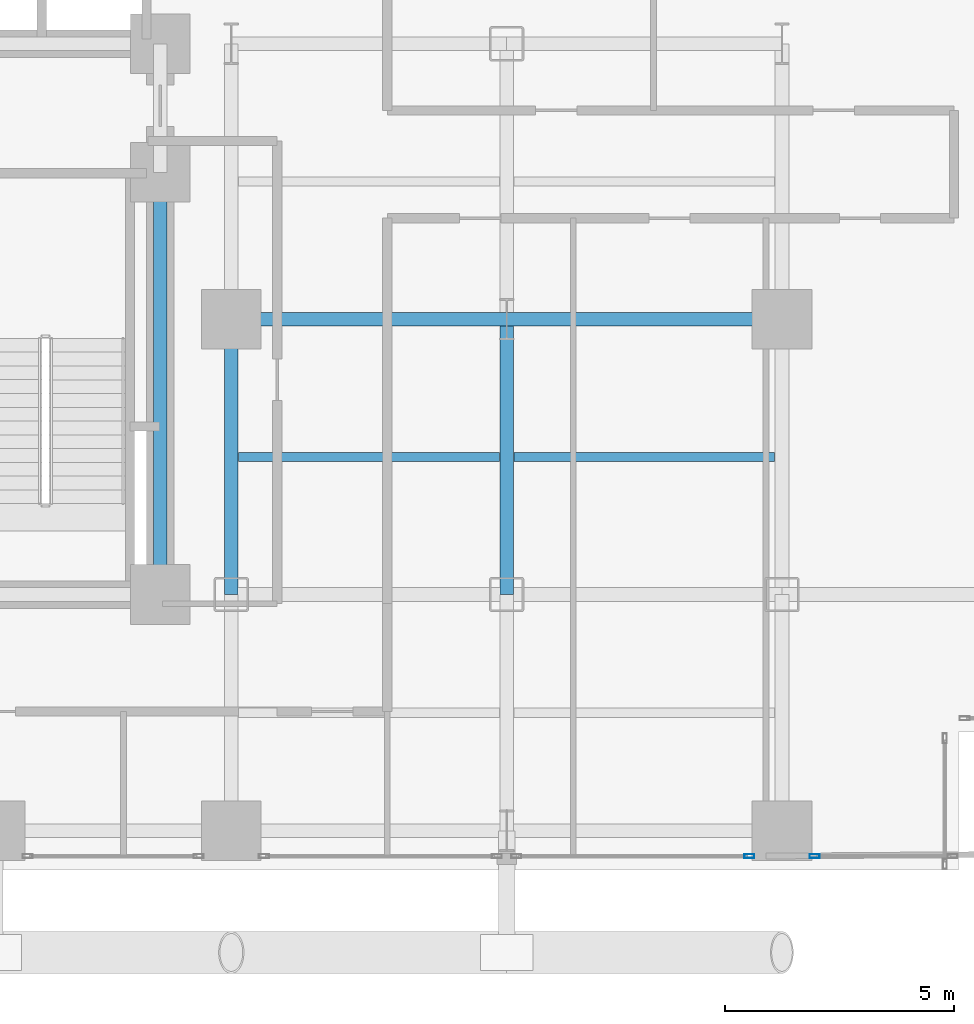
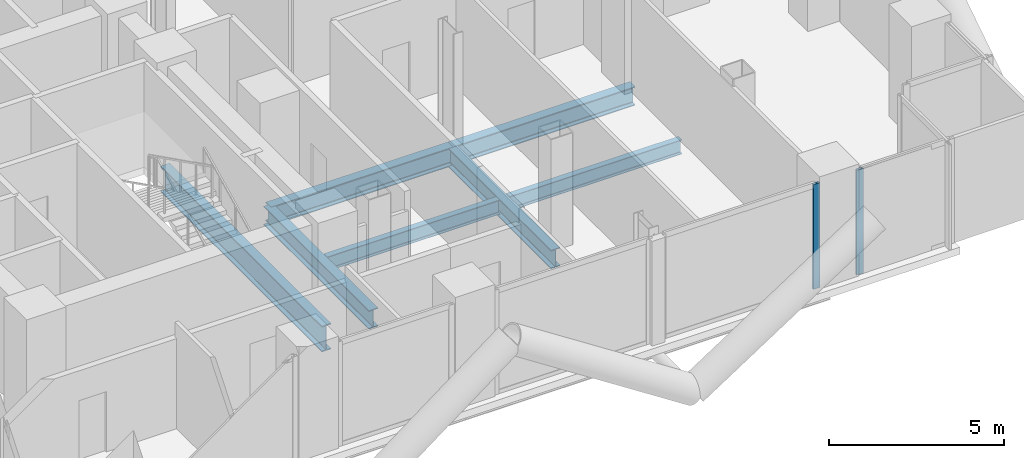
# One storey, part 9 of 25: 7 beams, 2 members, 2 elements without a shape of their own.
"""IFC4 building model written with IfcOpenShell, lengths in metres."""

from ifc_helpers import new_model, si_unit, direction, frame, origin, origin_2d, place, context, subcontext, project, spatial, hollow_rectangle, i_section, extrude, material, layer, layer_set, material_profile, profile_set, type_object, element, aggregate, save


model = new_model("IFC4")

# Units and contexts
model_context = context("Model", 3, precision=1e-05, world=origin(), true_north=direction((0.0, 1.0)))
body_context = subcontext(model_context, "Body", "Model", "MODEL_VIEW")
ifc_project = project(units=[si_unit("LENGTHUNIT", "METRE"), si_unit("AREAUNIT", "SQUARE_METRE"), si_unit("VOLUMEUNIT", "CUBIC_METRE"), si_unit("PLANEANGLEUNIT", "RADIAN"), si_unit("MASSUNIT", "GRAM", prefix="KILO"), si_unit("THERMODYNAMICTEMPERATUREUNIT", "KELVIN"), si_unit("POWERUNIT", "WATT")], contexts=[model_context])

# Site, building, storey
site_placement = place(None, origin())
site = spatial("IfcSite", under=ifc_project, at=site_placement, CompositionType="ELEMENT")
building_placement = place(site_placement, origin())
building = spatial("IfcBuilding", under=site, at=building_placement, Name="Svarakhadi Broadcast Tower", CompositionType="ELEMENT")
storey_placement = place(building_placement, frame((0.0, 0.0, 48.0)))
storey = spatial("IfcBuildingStorey", under=building, at=storey_placement, Name="L10", CompositionType="ELEMENT", Elevation=48.0)

# Beams
ifc_material_1 = material(Name="Steel S355J2 (IS 2062 E350C)", Category="steel")
ifc_material_profile_1 = material_profile(ifc_material_1, i_section(OverallWidth=0.199951171875, OverallDepth=0.5, WebThickness=0.01025390625, FlangeThickness=0.01611328125, FilletRadius=0.02099609375, at=origin_2d()), Name="NPB 500x200x91")
ifc_profile_set_1 = profile_set([ifc_material_profile_1], Name="Steel S355J2 (IS 2062 E350C)")
beam_type_1 = type_object("IfcBeamType", Name="Beam_NPB500", PredefinedType="BEAM", material=ifc_profile_set_1)
for number, where, z_axis, x_axis, name in (
    (1, (35.31005859375, 9.0, -0.5), (1.0, 0.0, 0.0), (0.0, 1.0, 0.0), "L10 Secondary Composite Beam SB023"),
    (2, (41.31005859375, 9.0, -0.5), (1.0, 0.0, 0.0), (0.0, 1.0, 0.0), "L10 Secondary Composite Beam SB026"),
):
    element("IfcBeam", number, at=place(storey_placement, frame(where, z_axis=z_axis, x_axis=x_axis)), inside=storey, type_object=beam_type_1, Name=name, PredefinedType="BEAM", context=body_context, shape_type="SweptSolid", body=[
        extrude(i_section(OverallWidth=0.199951171875, OverallDepth=0.5, WebThickness=0.01025390625, FlangeThickness=0.01611328125, FilletRadius=0.02099609375, at=origin_2d()), origin(), (0.0, 0.0, 1.0), 5.679931640625),
    ])

# Curtain wall, member
ifc_material_2 = material(Name="Anodised Bronze Aluminium AA 6063-T6", Category="aluminium")
ifc_layer = layer(ifc_material_2, 0.219970703125)
ifc_layer_set = layer_set([ifc_layer], Name="Anodised Bronze Aluminium AA 6063-T6")
curtain_wall_type = type_object("IfcCurtainWallType", Name="CW_Sys_02", PredefinedType="NOTDEFINED", material=ifc_layer_set)
curtain_wall_1_placement = place(storey_placement, origin())
curtain_wall_1 = element("IfcCurtainWall", 3, at=curtain_wall_1_placement, inside=storey, type_object=curtain_wall_type, Name="L10 South Curtain Wall 16 Bay 1", PredefinedType="NOTDEFINED")
ifc_material_profile_2 = material_profile(ifc_material_2, hollow_rectangle(XDim=0.0849609375, YDim=0.219970703125, WallThickness=0.006103515625, at=origin_2d()), Name="ALU MULLION 220x85x6")
ifc_profile_set_2 = profile_set([ifc_material_profile_2], Name="Anodised Bronze Aluminium AA 6063-T6")
member_type = type_object("IfcMemberType", Name="CW_Sys_02_Mul", PredefinedType="MULLION", material=ifc_profile_set_2)
member_1_placement = place(storey_placement, frame((47.862548828125, 0.300048828125, 0.0), z_axis=(0.0, 0.0, 1.0), x_axis=(0.0, -1.0, 0.0)))
member_1 = element("IfcMember", 4, at=member_1_placement, type_object=member_type, Name="CW-02 mullion 2", PredefinedType="MULLION", context=body_context, shape_type="SweptSolid", body=[
    extrude(hollow_rectangle(XDim=0.0849609375, YDim=0.219970703125, WallThickness=0.006103515625, at=origin_2d()), origin(), (0.0, 0.0, 1.0), 3.64990234375),
])
aggregate(curtain_wall_1, [member_1])

curtain_wall_2_placement = place(storey_placement, origin())
curtain_wall_2 = element("IfcCurtainWall", 5, at=curtain_wall_2_placement, inside=storey, type_object=curtain_wall_type, Name="L10 South Curtain Wall 16 Bay 2", PredefinedType="NOTDEFINED")
member_2_placement = place(storey_placement, frame((46.4375, 0.300048828125, 0.0), z_axis=(0.0, 0.0, 1.0), x_axis=(0.0, -1.0, 0.0)))
member_2 = element("IfcMember", 6, at=member_2_placement, type_object=member_type, Name="CW-02 mullion 1", PredefinedType="MULLION", context=body_context, shape_type="SweptSolid", body=[
    extrude(hollow_rectangle(XDim=0.0849609375, YDim=0.219970703125, WallThickness=0.006103515625, at=origin_2d()), origin(), (0.0, 0.0, 1.0), 3.64990234375),
])
aggregate(curtain_wall_2, [member_2])

# Beams
ifc_material_profile_3 = material_profile(ifc_material_1, i_section(OverallWidth=0.300048828125, OverallDepth=0.64990234375, WebThickness=0.01611328125, FlangeThickness=0.031005859375, FilletRadius=0.027099609375, at=origin_2d()), Name="WPB 650x300x225")
ifc_profile_set_3 = profile_set([ifc_material_profile_3], Name="Steel S355J2 (IS 2062 E350C)")
beam_type_2 = type_object("IfcBeamType", Name="Girder_WPB650", PredefinedType="USERDEFINED", material=ifc_profile_set_3)
for number, where, z_axis, x_axis, name in (
    (7, (35.14990234375, 12.0, -0.574951171875), (1.0, 0.0, 0.0), (0.0, 1.0, 0.0), "L10 Primary E-W Girder G023"),
    (8, (41.14990234375, 12.0, -0.574951171875), (1.0, 0.0, 0.0), (0.0, 1.0, 0.0), "L10 Primary E-W Girder G024"),
    (9, (35.14990234375, 6.0, -0.574951171875), (0.0, 1.0, 0.0), (-1.0, 0.0, 0.0), "L10 Primary N-S Girder G077"),
    (10, (41.14990234375, 6.0, -0.574951171875), (0.0, 1.0, 0.0), (-1.0, 0.0, 0.0), "L10 Primary N-S Girder G080"),
):
    element("IfcBeam", number, at=place(storey_placement, frame(where, z_axis=z_axis, x_axis=x_axis)), inside=storey, type_object=beam_type_2, Name=name, ObjectType="GIRDER", PredefinedType="USERDEFINED", context=body_context, shape_type="SweptSolid", body=[
        extrude(i_section(OverallWidth=0.300048828125, OverallDepth=0.64990234375, WebThickness=0.01611328125, FlangeThickness=0.031005859375, FilletRadius=0.027099609375, at=origin_2d()), origin(), (0.0, 0.0, 1.0), 6.0),
    ])
ifc_material_3 = material(Name="Steel S460ML (IS 2062 E450BR)", Category="steel")
ifc_material_profile_4 = material_profile(ifc_material_3, i_section(OverallWidth=0.300048828125, OverallDepth=0.89990234375, WebThickness=0.0185546875, FlangeThickness=0.034912109375, FilletRadius=0.030029296875, at=origin_2d()), Name="WPB 900x300x291")
ifc_profile_set_4 = profile_set([ifc_material_profile_4], Name="Steel S460ML (IS 2062 E450BR)")
beam_type_3 = type_object("IfcBeamType", Name="Girder_WPB900", PredefinedType="USERDEFINED", material=ifc_profile_set_4)
beam_placement = place(storey_placement, frame((33.60009765625, 6.0, -0.699951171875), z_axis=(0.0, 1.0, 0.0), x_axis=(-1.0, 0.0, 0.0)))
element("IfcBeam", 11, at=beam_placement, inside=storey, type_object=beam_type_3, Name="L10 Primary N-S Girder G074", ObjectType="GIRDER", PredefinedType="USERDEFINED", context=body_context, shape_type="SweptSolid", body=[
    extrude(i_section(OverallWidth=0.300048828125, OverallDepth=0.89990234375, WebThickness=0.0185546875, FlangeThickness=0.034912109375, FilletRadius=0.030029296875, at=origin_2d()), origin(), (0.0, 0.0, 1.0), 9.199951171875),
])

save(model, "model.ifc")
